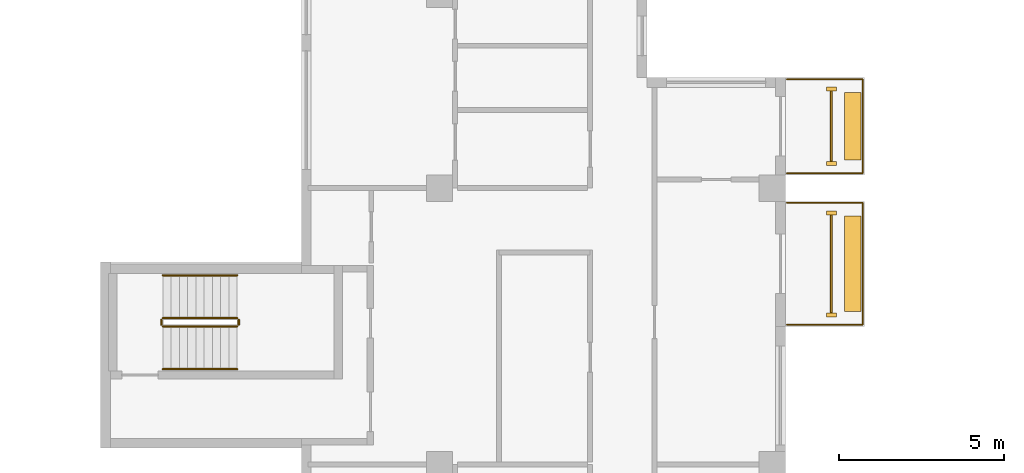
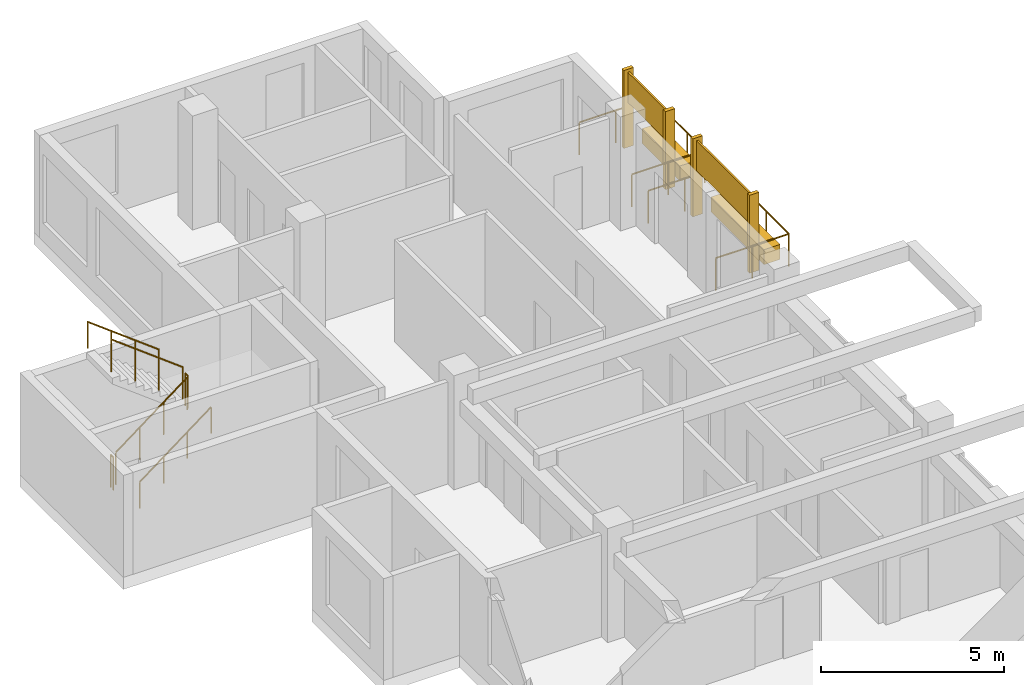
# One storey, part 13 of 13: 8 coverings, 8 railings.
"""IFC4 building model written with IfcOpenShell, lengths in metres."""

from ifc_helpers import new_model, si_unit, direction, frame, origin, origin_2d, place, context, subcontext, project, spatial, rectangle, circle, extrude, source, transform, mapped, material, type_object, element, save


model = new_model("IFC4")

# Units and contexts
model_context = context("Model", 3, precision=1e-05, world=origin(), true_north=direction((0.0, 1.0)))
body_context = subcontext(model_context, "Body", "Model", "MODEL_VIEW")
ifc_project = project(units=[si_unit("LENGTHUNIT", "METRE"), si_unit("AREAUNIT", "SQUARE_METRE"), si_unit("VOLUMEUNIT", "CUBIC_METRE"), si_unit("PLANEANGLEUNIT", "RADIAN"), si_unit("MASSUNIT", "GRAM", prefix="KILO")], contexts=[model_context])

# Site, building, storey
site_placement = place(None, origin())
site = spatial("IfcSite", under=ifc_project, at=site_placement, CompositionType="ELEMENT")
building_placement = place(site_placement, origin())
building = spatial("IfcBuilding", under=site, at=building_placement, Name="Aurelian Terraces", CompositionType="ELEMENT")
storey_placement = place(building_placement, frame((0.0, 0.0, 253.8)))
storey = spatial("IfcBuildingStorey", under=building, at=storey_placement, Name="L58", CompositionType="ELEMENT", Elevation=253.8)

# Coverings
ifc_material_1 = material(Name="Terracotta rainscreen cladding relief", Category="masonry")
covering_type_1 = type_object("IfcCoveringType", Name="FIN-TC", PredefinedType="CLADDING", material=ifc_material_1)
shared_shape_1 = source(origin(), body_context, "Body", "SweptSolid", [
    extrude(rectangle(XDim=0.3, YDim=0.12, at=origin_2d()), origin(), (0.0, 0.0, 1.0), 2.6),
])
for number, where, z_axis, x_axis, name in (
    (1, (22.4, 42.35, 0.0), (0.0, 0.0, 1.0), (1.0, 0.0, 0.0), "FIN L58 L58-F12-24.1"),
    (2, (22.4, 45.45, 0.0), (0.0, 0.0, 1.0), (1.0, 0.0, 0.0), "FIN L58 L58-F12-24.2"),
    (3, (22.4, 46.95, 0.0), (0.0, 0.0, 1.0), (1.0, 0.0, 0.0), "FIN L58 L58-F12-25.1"),
    (4, (22.4, 49.21, 0.0), (0.0, 0.0, 1.0), (1.0, 0.0, 0.0), "FIN L58 L58-F12-25.2"),
):
    element("IfcCovering", number, at=place(storey_placement, frame(where, z_axis=z_axis, x_axis=x_axis)), inside=storey, type_object=covering_type_1, Name=name, PredefinedType="CLADDING", context=body_context, shape_type="MappedRepresentation", body=[
        mapped(shared_shape_1, transform((0.0, 0.0, 0.0), scale=1.0)),
    ])

# Railing
ifc_material_2 = material(Name="Anodised aluminium", Category="aluminium")
railing_type_1 = type_object("IfcRailingType", Name="GUARD-1100", PredefinedType="GUARDRAIL", material=ifc_material_2)
shared_shape_2 = source(origin(), body_context, "Body", "SweptSolid", [
    extrude(circle(Radius=0.024, at=origin_2d()), frame((0.0, 0.0, 1.076), z_axis=(1.0, 0.0, 0.0), x_axis=(0.0, 1.0, 0.0)), (0.0, 0.0, 1.0), 2.3),
    extrude(circle(Radius=0.024, at=origin_2d()), frame((2.3, 0.0, 1.076), z_axis=(0.0, 1.0, 0.0), x_axis=(-1.0, 0.0, 0.0)), (0.0, 0.0, 1.0), 2.86),
    extrude(circle(Radius=0.024, at=origin_2d()), frame((2.3, 2.86, 1.076), z_axis=(-1.0, 0.0, 0.0), x_axis=(0.0, -1.0, 0.0)), (0.0, 0.0, 1.0), 2.3),
    extrude(circle(Radius=0.021, at=origin_2d()), origin(), (0.0, 0.0, 1.0), 1.052),
    extrude(circle(Radius=0.021, at=origin_2d()), frame((1.15, 0.0, 0.0)), (0.0, 0.0, 1.0), 1.052),
    extrude(circle(Radius=0.021, at=origin_2d()), frame((2.3, 0.0, 0.0)), (0.0, 0.0, 1.0), 1.052),
    extrude(circle(Radius=0.021, at=origin_2d()), frame((2.3, 0.9533, 0.0)), (0.0, 0.0, 1.0), 1.052),
    extrude(circle(Radius=0.021, at=origin_2d()), frame((2.3, 1.9067, 0.0)), (0.0, 0.0, 1.0), 1.052),
    extrude(circle(Radius=0.021, at=origin_2d()), frame((2.3, 2.86, 0.0)), (0.0, 0.0, 1.0), 1.052),
    extrude(circle(Radius=0.021, at=origin_2d()), frame((1.15, 2.86, 0.0)), (0.0, 0.0, 1.0), 1.052),
    extrude(circle(Radius=0.021, at=origin_2d()), frame((0.0, 2.86, 0.0)), (0.0, 0.0, 1.0), 1.052),
])
railing_1_placement = place(storey_placement, frame((21.05, 46.65, 0.0)))
element("IfcRailing", 5, at=railing_1_placement, inside=storey, type_object=railing_type_1, Name="Balcony guard L58 F12.25", PredefinedType="GUARDRAIL", context=body_context, shape_type="MappedRepresentation", body=[
    mapped(shared_shape_2, transform((0.0, 0.0, 0.0), scale=1.0)),
])

# Coverings
ifc_material_3 = material(Name="Terracotta planter with planting soil", Category="masonry")
covering_type_2 = type_object("IfcCoveringType", Name="PLANTER-TROUGH", PredefinedType="USERDEFINED", material=ifc_material_3)
shared_shape_3 = source(origin(), body_context, "Body", "SweptSolid", [
    extrude(rectangle(XDim=0.5, YDim=2.06, at=origin_2d()), origin(), (0.0, 0.0, 1.0), 0.5),
])
covering_1_placement = place(storey_placement, frame((23.05, 48.08, 0.0), z_axis=(0.0, 0.0, 1.0), x_axis=(1.0, 0.0, 0.0)))
element("IfcCovering", 6, at=covering_1_placement, inside=storey, type_object=covering_type_2, Name="PLANTER L58 L58-F12-25", ObjectType="PLANTER", PredefinedType="USERDEFINED", context=body_context, shape_type="MappedRepresentation", body=[
    mapped(shared_shape_3, transform((0.0, 0.0, 0.0), scale=1.0)),
])
ifc_material_4 = material(Name="Terracotta rainscreen cladding", Category="masonry")
covering_type_3 = type_object("IfcCoveringType", Name="SCREEN-TC", PredefinedType="CLADDING", material=ifc_material_4)
shared_shape_4 = source(origin(), body_context, "Body", "SweptSolid", [
    extrude(rectangle(XDim=0.06, YDim=2.14, at=origin_2d()), origin(), (0.0, 0.0, 1.0), 1.0),
])
covering_2_placement = place(storey_placement, frame((22.4, 48.08, 1.5), z_axis=(0.0, 0.0, 1.0), x_axis=(1.0, 0.0, 0.0)))
element("IfcCovering", 7, at=covering_2_placement, inside=storey, type_object=covering_type_3, Name="SCREEN L58 L58-F12-25", PredefinedType="CLADDING", context=body_context, shape_type="MappedRepresentation", body=[
    mapped(shared_shape_4, transform((0.0, 0.0, 0.0), scale=1.0)),
])

# Railing
shared_shape_5 = source(origin(), body_context, "Body", "SweptSolid", [
    extrude(circle(Radius=0.024, at=origin_2d()), frame((0.0, 0.0, 1.076), z_axis=(1.0, 0.0, 0.0), x_axis=(0.0, 1.0, 0.0)), (0.0, 0.0, 1.0), 2.3),
    extrude(circle(Radius=0.024, at=origin_2d()), frame((2.3, 0.0, 1.076), z_axis=(0.0, 1.0, 0.0), x_axis=(-1.0, 0.0, 0.0)), (0.0, 0.0, 1.0), 3.7),
    extrude(circle(Radius=0.024, at=origin_2d()), frame((2.3, 3.7, 1.076), z_axis=(-1.0, 0.0, 0.0), x_axis=(0.0, -1.0, 0.0)), (0.0, 0.0, 1.0), 2.3),
    extrude(circle(Radius=0.021, at=origin_2d()), origin(), (0.0, 0.0, 1.0), 1.052),
    extrude(circle(Radius=0.021, at=origin_2d()), frame((1.15, 0.0, 0.0)), (0.0, 0.0, 1.0), 1.052),
    extrude(circle(Radius=0.021, at=origin_2d()), frame((2.3, 0.0, 0.0)), (0.0, 0.0, 1.0), 1.052),
    extrude(circle(Radius=0.021, at=origin_2d()), frame((2.3, 1.2333, 0.0)), (0.0, 0.0, 1.0), 1.052),
    extrude(circle(Radius=0.021, at=origin_2d()), frame((2.3, 2.4667, 0.0)), (0.0, 0.0, 1.0), 1.052),
    extrude(circle(Radius=0.021, at=origin_2d()), frame((2.3, 3.7, 0.0)), (0.0, 0.0, 1.0), 1.052),
    extrude(circle(Radius=0.021, at=origin_2d()), frame((1.15, 3.7, 0.0)), (0.0, 0.0, 1.0), 1.052),
    extrude(circle(Radius=0.021, at=origin_2d()), frame((0.0, 3.7, 0.0)), (0.0, 0.0, 1.0), 1.052),
])
railing_2_placement = place(storey_placement, frame((21.05, 42.05, 0.0)))
element("IfcRailing", 8, at=railing_2_placement, inside=storey, type_object=railing_type_1, Name="Balcony guard L58 F12.24", PredefinedType="GUARDRAIL", context=body_context, shape_type="MappedRepresentation", body=[
    mapped(shared_shape_5, transform((0.0, 0.0, 0.0), scale=1.0)),
])

# Coverings
shared_shape_6 = source(origin(), body_context, "Body", "SweptSolid", [
    extrude(rectangle(XDim=0.5, YDim=2.9, at=origin_2d()), origin(), (0.0, 0.0, 1.0), 0.5),
])
covering_3_placement = place(storey_placement, frame((23.05, 43.9, 0.0), z_axis=(0.0, 0.0, 1.0), x_axis=(1.0, 0.0, 0.0)))
element("IfcCovering", 9, at=covering_3_placement, inside=storey, type_object=covering_type_2, Name="PLANTER L58 L58-F12-24", ObjectType="PLANTER", PredefinedType="USERDEFINED", context=body_context, shape_type="MappedRepresentation", body=[
    mapped(shared_shape_6, transform((0.0, 0.0, 0.0), scale=1.0)),
])
shared_shape_7 = source(origin(), body_context, "Body", "SweptSolid", [
    extrude(rectangle(XDim=0.06, YDim=2.98, at=origin_2d()), origin(), (0.0, 0.0, 1.0), 1.0),
])
covering_4_placement = place(storey_placement, frame((22.4, 43.9, 1.5), z_axis=(0.0, 0.0, 1.0), x_axis=(1.0, 0.0, 0.0)))
element("IfcCovering", 10, at=covering_4_placement, inside=storey, type_object=covering_type_3, Name="SCREEN L58 L58-F12-24", PredefinedType="CLADDING", context=body_context, shape_type="MappedRepresentation", body=[
    mapped(shared_shape_7, transform((0.0, 0.0, 0.0), scale=1.0)),
])

# Railings
ifc_material_5 = material(Name="Stainless steel", Category="steel")
railing_type_2 = type_object("IfcRailingType", Name="Stair guard 1100", PredefinedType="GUARDRAIL", material=ifc_material_5)
shared_shape_8 = source(origin(), body_context, "Body", "SweptSolid", [
    extrude(circle(Radius=0.024, at=origin_2d()), frame((0.0, 0.0, 1.076), z_axis=(0.0, 1.0, 0.0), x_axis=(-1.0, 0.0, 0.0)), (0.0, 0.0, 1.0), 0.15),
    extrude(circle(Radius=0.021, at=origin_2d()), origin(), (0.0, 0.0, 1.0), 1.052),
    extrude(circle(Radius=0.021, at=origin_2d()), frame((0.0, 0.15, 0.0)), (0.0, 0.0, 1.0), 1.052),
])
for number, where, name in (
    (11, (4.4, 42.05, 1.9), "L58 S3 stair guard 2"),
    (12, (2.05, 42.05, 0.0), "L58 S3 stair guard 4"),
):
    element("IfcRailing", number, at=place(storey_placement, frame(where)), inside=storey, type_object=railing_type_2, Name=name, PredefinedType="GUARDRAIL", context=body_context, shape_type="MappedRepresentation", body=[
        mapped(shared_shape_8, transform((0.0, 0.0, 0.0), scale=1.0)),
    ])
shared_shape_9 = source(origin(), body_context, "Body", "SweptSolid", [
    extrude(circle(Radius=0.024, at=origin_2d()), frame((0.0, 0.0, 1.076), z_axis=(0.796162194123, 0.0, 0.605083267534), x_axis=(0.0, 1.0, 0.0)), (0.0, 0.0, 1.0), 2.8261),
    extrude(circle(Radius=0.021, at=origin_2d()), origin(), (0.0, 0.0, 1.0), 1.052),
    extrude(circle(Radius=0.021, at=origin_2d()), frame((0.75, 0.0, 0.57)), (0.0, 0.0, 1.0), 1.052),
    extrude(circle(Radius=0.021, at=origin_2d()), frame((1.5, 0.0, 1.14)), (0.0, 0.0, 1.0), 1.052),
    extrude(circle(Radius=0.021, at=origin_2d()), frame((2.25, 0.0, 1.71)), (0.0, 0.0, 1.0), 1.052),
])
railing_3_placement = place(storey_placement, frame((2.1, 42.0, 0.19)))
element("IfcRailing", 13, at=railing_3_placement, inside=storey, type_object=railing_type_2, Name="L58 S3 stair guard 1", PredefinedType="GUARDRAIL", context=body_context, shape_type="MappedRepresentation", body=[
    mapped(shared_shape_9, transform((0.0, 0.0, 0.0), scale=1.0)),
])
shared_shape_10 = source(origin(), body_context, "Body", "SweptSolid", [
    extrude(circle(Radius=0.024, at=origin_2d()), frame((0.0, 0.0, 1.076), z_axis=(-0.796162194123, 0.0, 0.605083267534), x_axis=(0.0, -1.0, 0.0)), (0.0, 0.0, 1.0), 2.8261),
    extrude(circle(Radius=0.021, at=origin_2d()), origin(), (0.0, 0.0, 1.0), 1.052),
    extrude(circle(Radius=0.021, at=origin_2d()), frame((-0.75, 0.0, 0.57)), (0.0, 0.0, 1.0), 1.052),
    extrude(circle(Radius=0.021, at=origin_2d()), frame((-1.5, 0.0, 1.14)), (0.0, 0.0, 1.0), 1.052),
    extrude(circle(Radius=0.021, at=origin_2d()), frame((-2.25, 0.0, 1.71)), (0.0, 0.0, 1.0), 1.052),
])
railing_4_placement = place(storey_placement, frame((4.35, 42.25, 2.09)))
element("IfcRailing", 14, at=railing_4_placement, inside=storey, type_object=railing_type_2, Name="L58 S3 stair guard 3", PredefinedType="GUARDRAIL", context=body_context, shape_type="MappedRepresentation", body=[
    mapped(shared_shape_10, transform((0.0, 0.0, 0.0), scale=1.0)),
])
railing_type_3 = type_object("IfcRailingType", Name="Stair handrail", PredefinedType="HANDRAIL", material=ifc_material_5)
shared_shape_11 = source(origin(), body_context, "Body", "SweptSolid", [
    extrude(circle(Radius=0.024, at=origin_2d()), frame((0.0, 0.0, 0.876), z_axis=(0.796162194123, 0.0, 0.605083267534), x_axis=(0.0, 1.0, 0.0)), (0.0, 0.0, 1.0), 2.8261),
    extrude(circle(Radius=0.021, at=origin_2d()), origin(), (0.0, 0.0, 1.0), 0.852),
    extrude(circle(Radius=0.021, at=origin_2d()), frame((0.75, 0.0, 0.57)), (0.0, 0.0, 1.0), 0.852),
    extrude(circle(Radius=0.021, at=origin_2d()), frame((1.5, 0.0, 1.14)), (0.0, 0.0, 1.0), 0.852),
    extrude(circle(Radius=0.021, at=origin_2d()), frame((2.25, 0.0, 1.71)), (0.0, 0.0, 1.0), 0.852),
])
railing_5_placement = place(storey_placement, frame((2.1, 40.7, 0.19)))
element("IfcRailing", 15, at=railing_5_placement, inside=storey, type_object=railing_type_3, Name="L58 S3 stair handrail 1", PredefinedType="HANDRAIL", context=body_context, shape_type="MappedRepresentation", body=[
    mapped(shared_shape_11, transform((0.0, 0.0, 0.0), scale=1.0)),
])
shared_shape_12 = source(origin(), body_context, "Body", "SweptSolid", [
    extrude(circle(Radius=0.024, at=origin_2d()), frame((0.0, 0.0, 0.876), z_axis=(-0.796162194123, 0.0, 0.605083267534), x_axis=(0.0, -1.0, 0.0)), (0.0, 0.0, 1.0), 2.8261),
    extrude(circle(Radius=0.021, at=origin_2d()), origin(), (0.0, 0.0, 1.0), 0.852),
    extrude(circle(Radius=0.021, at=origin_2d()), frame((-0.75, 0.0, 0.57)), (0.0, 0.0, 1.0), 0.852),
    extrude(circle(Radius=0.021, at=origin_2d()), frame((-1.5, 0.0, 1.14)), (0.0, 0.0, 1.0), 0.852),
    extrude(circle(Radius=0.021, at=origin_2d()), frame((-2.25, 0.0, 1.71)), (0.0, 0.0, 1.0), 0.852),
])
railing_6_placement = place(storey_placement, frame((4.35, 43.55, 2.09)))
element("IfcRailing", 16, at=railing_6_placement, inside=storey, type_object=railing_type_3, Name="L58 S3 stair handrail 2", PredefinedType="HANDRAIL", context=body_context, shape_type="MappedRepresentation", body=[
    mapped(shared_shape_12, transform((0.0, 0.0, 0.0), scale=1.0)),
])

save(model, "model.ifc")
